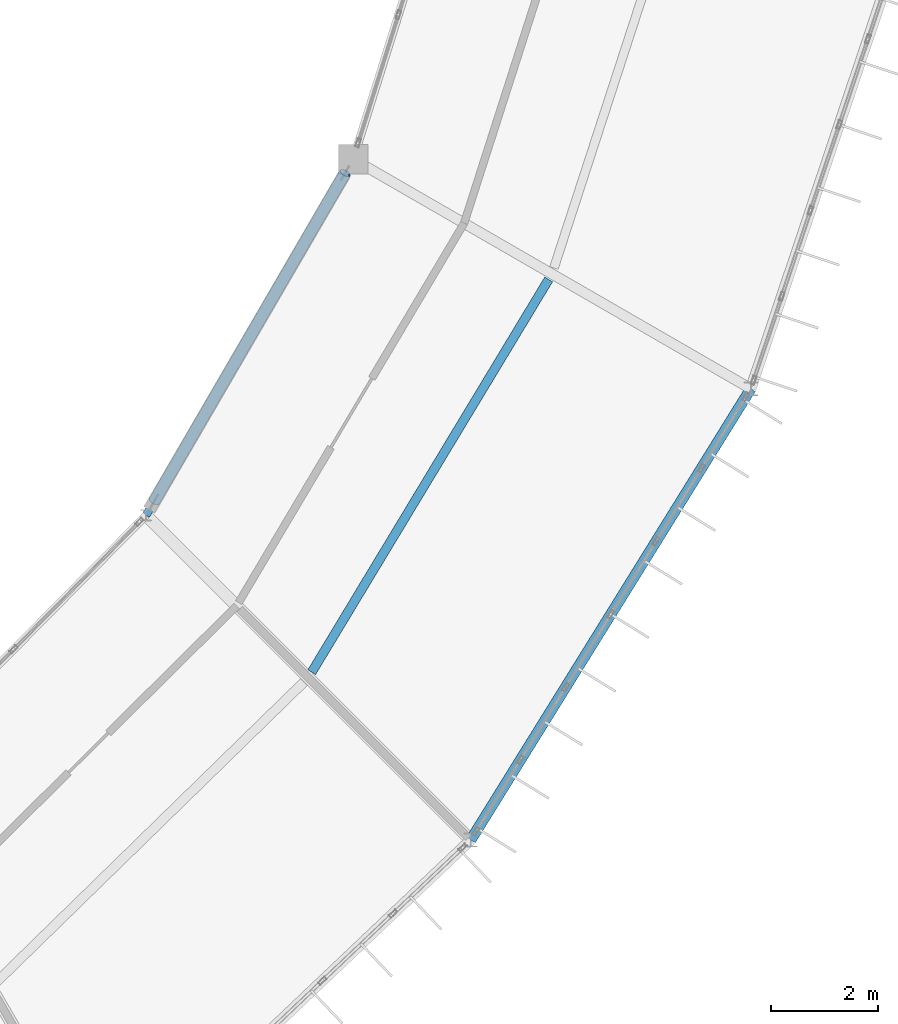
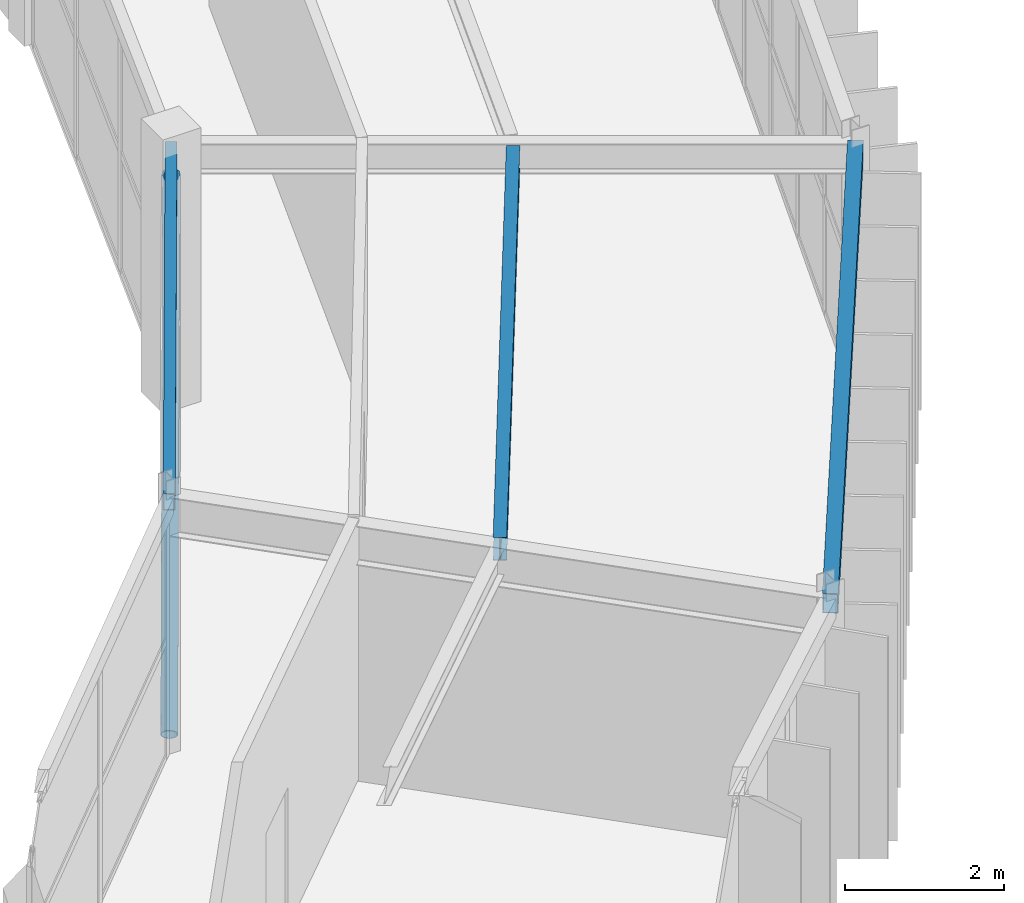
# One storey, part 51 of 134: 3 beams, 1 member.
"""IFC4 building model written with IfcOpenShell, lengths in metres."""

import ifcopenshell
import ifcopenshell.guid

model = None  # the IFC model being written
_history = None  # IfcOwnerHistory: only IFC2X3 demands one
_inside = {}  # id of a spatial element -> (the spatial element, [elements in it])
_under = {}  # id of a project, library or spatial element -> (it, [spatial elements below it])
_declared = {}  # id of a project -> (the project, [libraries it declares])
_typed = {}  # id of a type object -> (the type object, [elements of that type])
_made_of = {}  # id of a material, layer set ... -> (it, [elements and type objects made of it])


def new_model(schema):
    """Start an empty IFC model of exactly this schema.

    Asked for "IFC4X3", IfcOpenShell would pick the latest addendum, in which some entities
    have other attributes; the version numbers below select the first issue.
    IFC2X3 requires an IfcOwnerHistory on every rooted entity: one is made here for all.
    """
    global model, _history
    if schema == "IFC4X3":
        model = ifcopenshell.file(schema_version=(4, 3, 0, 0))
    else:
        model = ifcopenshell.file(schema=schema)
    _inside.clear()
    _under.clear()
    _declared.clear()
    _typed.clear()
    _made_of.clear()
    _history = None
    if model.schema == "IFC2X3":
        org = make("IfcOrganization", Name="unknown")
        user = make(
            "IfcPersonAndOrganization",
            ThePerson=make("IfcPerson", FamilyName="unknown"),
            TheOrganization=org,
        )
        app = make(
            "IfcApplication",
            ApplicationDeveloper=org,
            Version="unknown",
            ApplicationFullName="unknown",
            ApplicationIdentifier="unknown",
        )
        _history = make(
            "IfcOwnerHistory",
            OwningUser=user,
            OwningApplication=app,
            ChangeAction="ADDED",
            CreationDate=0,
        )
    return model


def make(cls, **values):
    """One entity of the class cls with the attributes given. An attribute that is None is left unset."""
    return model.create_entity(
        cls, **{name: value for name, value in values.items() if value is not None}
    )


def rooted(cls, **values):
    """An entity with a GlobalId (a new one), such as an element, a storey or a relation."""
    return make(cls, GlobalId=ifcopenshell.guid.new(), OwnerHistory=_history, **values)


def si_unit(unit_type, name, prefix=None):
    """IfcSIUnit, for example si_unit("LENGTHUNIT", "METRE", prefix="MILLI")."""
    return make("IfcSIUnit", UnitType=unit_type, Prefix=prefix, Name=name)


def assignment(units):
    """IfcUnitAssignment: the units of a project."""
    return None if units is None else make("IfcUnitAssignment", Units=units)


def point(xyz):
    """IfcCartesianPoint."""
    return None if xyz is None else make("IfcCartesianPoint", Coordinates=xyz)


def direction(xyz):
    """IfcDirection."""
    return None if xyz is None else make("IfcDirection", DirectionRatios=xyz)


def frame(location, z_axis=None, x_axis=None):
    """IfcAxis2Placement3D, a coordinate frame: its origin and axes. An axis left out is left unset."""
    return make(
        "IfcAxis2Placement3D",
        Location=point(location),
        Axis=direction(z_axis),
        RefDirection=direction(x_axis),
    )


def frame_2d(location, x_axis=None):
    """IfcAxis2Placement2D, a coordinate frame in the plane: its origin and x axis."""
    return make(
        "IfcAxis2Placement2D", Location=point(location), RefDirection=direction(x_axis)
    )


def origin():
    """The frame at (0, 0, 0) with its axes left unset."""
    return frame((0.0, 0.0, 0.0))


def origin_2d():
    """The frame at (0, 0) in the plane with its x axis left unset."""
    return frame_2d((0.0, 0.0))


def place(relative_to, where):
    """IfcLocalPlacement: puts the frame where relative to a parent placement (None: the world)."""
    return make(
        "IfcLocalPlacement", PlacementRelTo=relative_to, RelativePlacement=where
    )


def context(
    kind, dimensions, precision=None, world=None, true_north=None, identifier=None
):
    """IfcGeometricRepresentationContext, for example the 3D "Model" context."""
    return make(
        "IfcGeometricRepresentationContext",
        ContextIdentifier=identifier,
        ContextType=kind,
        CoordinateSpaceDimension=dimensions,
        Precision=precision,
        WorldCoordinateSystem=world,
        TrueNorth=true_north,
    )


def subcontext(parent, identifier, kind, view, scale=None):
    """IfcGeometricRepresentationSubContext, for example "Body" below "Model"."""
    return make(
        "IfcGeometricRepresentationSubContext",
        ContextIdentifier=identifier,
        ContextType=kind,
        ParentContext=parent,
        TargetScale=scale,
        TargetView=view,
    )


def project(units=None, contexts=None):
    """IfcProject with its units and contexts."""
    return rooted(
        "IfcProject",
        Name="project",
        RepresentationContexts=contexts,
        UnitsInContext=assignment(units),
    )


def spatial(cls, under=None, at=None, **own):
    """A site, building, storey or space (cls), placed at a placement, below another one or the project."""
    s = rooted(cls, ObjectPlacement=at, **own)
    if under is not None:
        _under.setdefault(under.id(), (under, []))[1].append(s)
    return s


def profile(cls, at=None, kind="AREA", **sizes):
    """A parametric profile (cls). Its sizes go by their IFC names, for example OverallWidth=200.0."""
    return make(cls, ProfileType=kind, Position=at, **sizes)


def hollow_rectangle(**sizes):
    """IfcRectangleHollowProfileDef."""
    return profile("IfcRectangleHollowProfileDef", **sizes)


def hollow_circle(**sizes):
    """IfcCircleHollowProfileDef."""
    return profile("IfcCircleHollowProfileDef", **sizes)


def i_section(**sizes):
    """IfcIShapeProfileDef."""
    return profile("IfcIShapeProfileDef", **sizes)


def extrude(swept, where, along, depth):
    """IfcExtrudedAreaSolid: the profile swept, set in the frame where, extruded along a direction by depth."""
    return make(
        "IfcExtrudedAreaSolid",
        SweptArea=swept,
        Position=where,
        ExtrudedDirection=direction(along),
        Depth=depth,
    )


def shape(context_of_items, identifier, shape_type, items):
    """IfcShapeRepresentation: the items that make up one representation, for example the "Body"."""
    return make(
        "IfcShapeRepresentation",
        ContextOfItems=context_of_items,
        RepresentationIdentifier=identifier,
        RepresentationType=shape_type,
        Items=items,
    )


def material(Name=None, Category=None):
    """IfcMaterial."""
    return make("IfcMaterial", Name=Name, Category=Category)


def material_profile(
    of_material, cross_section, Name=None, Category=None, Priority=None
):
    """IfcMaterialProfile: a cross section and its material."""
    return make(
        "IfcMaterialProfile",
        Name=Name,
        Material=of_material,
        Profile=cross_section,
        Priority=Priority,
        Category=Category,
    )


def profile_set(profiles, Name=None, composite=None):
    """IfcMaterialProfileSet."""
    return make(
        "IfcMaterialProfileSet",
        Name=Name,
        MaterialProfiles=profiles,
        CompositeProfile=composite,
    )


def made_of(thing, what):
    """Note that an element or type object is made of a material, layer set ...; save() writes the relation."""
    if what is not None:
        _made_of.setdefault(what.id(), (what, []))[1].append(thing)
    return thing


def type_object(cls, material=None, **own):
    """A type object (cls), such as IfcWallType, which elements share."""
    return made_of(rooted(cls, **own), material)


def element(
    cls,
    number,
    at=None,
    inside=None,
    cuts=None,
    type_object=None,
    material=None,
    context=None,
    identifier="Body",
    shape_type=None,
    held_by="IfcProductDefinitionShape",
    body=None,
    shapes=None,
    **own,
):
    """One element of the class cls, such as IfcWall. Its Tag is "e" and its number.

    at: its placement. inside: the storey or other place that contains it. cuts: it is an
    opening in that element (IfcRelVoidsElement). A single representation is given by context,
    identifier, shape_type and body (its items); several are given by shapes. held_by: the class
    of the entity that holds the representations. save() writes the other relations.
    """
    e = rooted(cls, Tag="e%d" % number, ObjectPlacement=at, **own)
    if body is not None:
        shapes = [shape(context, identifier, shape_type, body)]
    if shapes is not None:
        e.Representation = make(held_by, Representations=shapes)
    if inside is not None:
        _inside.setdefault(inside.id(), (inside, []))[1].append(e)
    if cuts is not None:
        rooted(
            "IfcRelVoidsElement", RelatingBuildingElement=cuts, RelatedOpeningElement=e
        )
    if type_object is not None:
        _typed.setdefault(type_object.id(), (type_object, []))[1].append(e)
    return made_of(e, material)


def aggregate(whole, parts):
    """IfcRelAggregates: a whole, such as a stair, and the parts it consists of."""
    return rooted("IfcRelAggregates", RelatingObject=whole, RelatedObjects=parts)


def save(model, path):
    """Write the relations noted so far, then the file.

    IfcRelAggregates (storeys below a building ...), IfcRelContainedInSpatialStructure (elements
    in a storey), IfcRelDefinesByType, IfcRelAssociatesMaterial and IfcRelDeclares: one each for
    every whole, place, type object, material and project.
    """
    for whole, parts in _under.values():
        aggregate(whole, parts)
    for where, things in _inside.values():
        rooted(
            "IfcRelContainedInSpatialStructure",
            RelatedElements=things,
            RelatingStructure=where,
        )
    for kind, things in _typed.values():
        rooted("IfcRelDefinesByType", RelatedObjects=things, RelatingType=kind)
    for what, things in _made_of.values():
        rooted("IfcRelAssociatesMaterial", RelatedObjects=things, RelatingMaterial=what)
    for by, libraries in _declared.values():
        rooted("IfcRelDeclares", RelatingContext=by, RelatedDefinitions=libraries)
    model.write(path)


model = new_model("IFC4")

# Units and contexts
model_context = context("Model", 3, precision=1e-05, world=origin(), true_north=direction((0.0, 1.0)))
body_context = subcontext(model_context, "Body", "Model", "MODEL_VIEW")
ifc_project = project(units=[si_unit("LENGTHUNIT", "METRE"), si_unit("AREAUNIT", "SQUARE_METRE"), si_unit("VOLUMEUNIT", "CUBIC_METRE"), si_unit("PLANEANGLEUNIT", "RADIAN"), si_unit("MASSUNIT", "GRAM", prefix="KILO")], contexts=[model_context])

# Site, building, storey
site_placement = place(None, origin())
site = spatial("IfcSite", under=ifc_project, at=site_placement, CompositionType="ELEMENT")
building_placement = place(site_placement, origin())
building = spatial("IfcBuilding", under=site, at=building_placement, Name="Karori Crest Natural Sciences Institute", CompositionType="ELEMENT")
storey_placement = place(building_placement, frame((0.0, 0.0, 21.699951171875)))
storey = spatial("IfcBuildingStorey", under=building, at=storey_placement, Name="L05", CompositionType="ELEMENT", Elevation=21.699951171875)

# Beams
ifc_material_1 = material(Name="Hollow structural steel AS/NZS 1163 Grade C350", Category="steel")
ifc_material_profile_1 = material_profile(ifc_material_1, hollow_rectangle(XDim=0.199951171875, YDim=0.300048828125, WallThickness=0.010009765625, at=origin_2d()), Name="RHS300x200x10")
ifc_profile_set_1 = profile_set([ifc_material_profile_1], Name="Hollow structural steel AS/NZS 1163 Grade C350")
beam_type_1 = type_object("IfcBeamType", Name="BT-15", PredefinedType="SPANDREL", material=ifc_profile_set_1)
beam_1_placement = place(storey_placement, frame((89.734619140625, 21.050048828125, 3.7900390625), z_axis=(0.527315195609, 0.849669750244, 0.0), x_axis=(-0.849669750244, 0.527315195609, 0.0)))
element("IfcBeam", 1, at=beam_1_placement, inside=storey, type_object=beam_type_1, Name="Beam B-0608", PredefinedType="SPANDREL", context=body_context, shape_type="SweptSolid", body=[
    extrude(hollow_rectangle(XDim=0.199951171875, YDim=0.300048828125, WallThickness=0.010009765625, at=origin_2d()), origin(), (0.0, 0.0, 1.0), 9.945068359375),
])
ifc_material_profile_2 = material_profile(ifc_material_1, hollow_rectangle(XDim=0.14990234375, YDim=0.25, WallThickness=0.009033203125, at=origin_2d()), Name="RHS250x150x9")
ifc_profile_set_2 = profile_set([ifc_material_profile_2], Name="Hollow structural steel AS/NZS 1163 Grade C350")
beam_type_2 = type_object("IfcBeamType", Name="BT-16", PredefinedType="SPANDREL", material=ifc_profile_set_2)
beam_2_placement = place(storey_placement, frame((83.6533203125, 27.131103515625, 3.7900390625), z_axis=(0.502658410953, 0.864485119536, 0.0), x_axis=(-0.864485119536, 0.502658410953, 0.0)))
element("IfcBeam", 2, at=beam_2_placement, inside=storey, type_object=beam_type_2, Name="Beam B-0609", PredefinedType="SPANDREL", context=body_context, shape_type="SweptSolid", body=[
    extrude(hollow_rectangle(XDim=0.14990234375, YDim=0.25, WallThickness=0.009033203125, at=origin_2d()), origin(), (0.0, 0.0, 1.0), 7.71435546875),
])
ifc_material_2 = material(Name="Structural steel AS/NZS 3679.1 Grade 350", Category="steel")
ifc_material_profile_3 = material_profile(ifc_material_2, i_section(OverallWidth=0.1708984375, OverallDepth=0.35595703125, WebThickness=0.00732421875, FlangeThickness=0.011474609375, FilletRadius=0.010986328125, at=origin_2d()), Name="360UB50.7")
ifc_profile_set_3 = profile_set([ifc_material_profile_3], Name="Structural steel AS/NZS 3679.1 Grade 350")
beam_type_3 = type_object("IfcBeamType", Name="BT-30", PredefinedType="BEAM", material=ifc_profile_set_3)
beam_3_placement = place(storey_placement, frame((86.755859375, 24.193359375, 3.761962890625), z_axis=(0.516601017309, 0.856226248672, 0.0), x_axis=(-0.856226248672, 0.516601017309, 0.0)))
element("IfcBeam", 3, at=beam_3_placement, inside=storey, type_object=beam_type_3, Name="Beam B-0611", PredefinedType="BEAM", context=body_context, shape_type="SweptSolid", body=[
    extrude(i_section(OverallWidth=0.1708984375, OverallDepth=0.35595703125, WebThickness=0.00732421875, FlangeThickness=0.011474609375, FilletRadius=0.010986328125, at=origin_2d()), origin(), (0.0, 0.0, 1.0), 8.5888671875),
])

# Member
ifc_material_profile_4 = material_profile(ifc_material_1, hollow_circle(Radius=0.109619140625, WallThickness=0.00830078125, at=origin_2d()), Name="CHS219.1x8.2")
ifc_profile_set_4 = profile_set([ifc_material_profile_4], Name="Hollow structural steel AS/NZS 1163 Grade C350")
member_type = type_object("IfcMemberType", Name="MT-02", PredefinedType="BRACE", material=ifc_profile_set_4)
member_placement = place(storey_placement, frame((83.80419921875, 27.390380859375, 0.010009765625), z_axis=(0.447462591549, 0.769609995651, 0.455497183041), x_axis=(-0.864499904405, 0.502632982686, 0.0)))
element("IfcMember", 4, at=member_placement, inside=storey, type_object=member_type, Name="Diagonal Brace M-0027", PredefinedType="BRACE", context=body_context, shape_type="SweptSolid", body=[
    extrude(hollow_circle(Radius=0.109619140625, WallThickness=0.00830078125, at=origin_2d()), origin(), (0.0, 0.0, 1.0), 7.991455078125),
])

save(model, "model.ifc")
